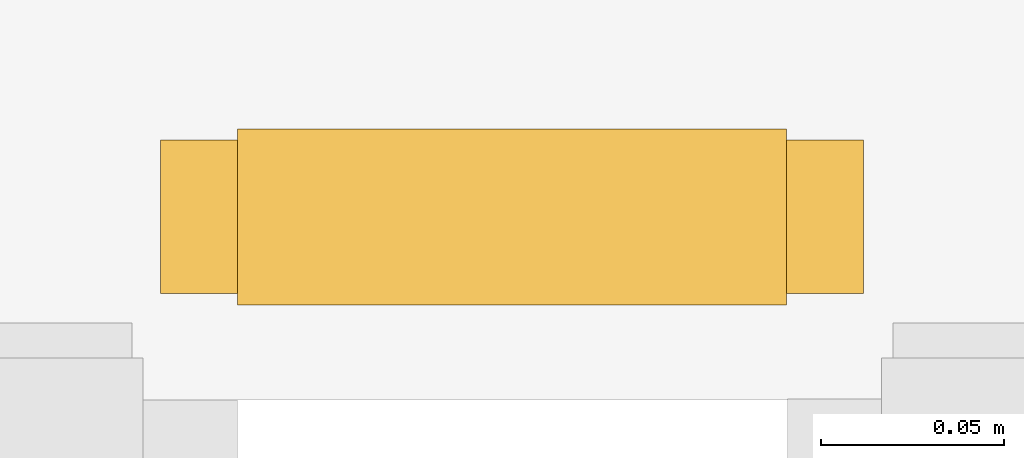
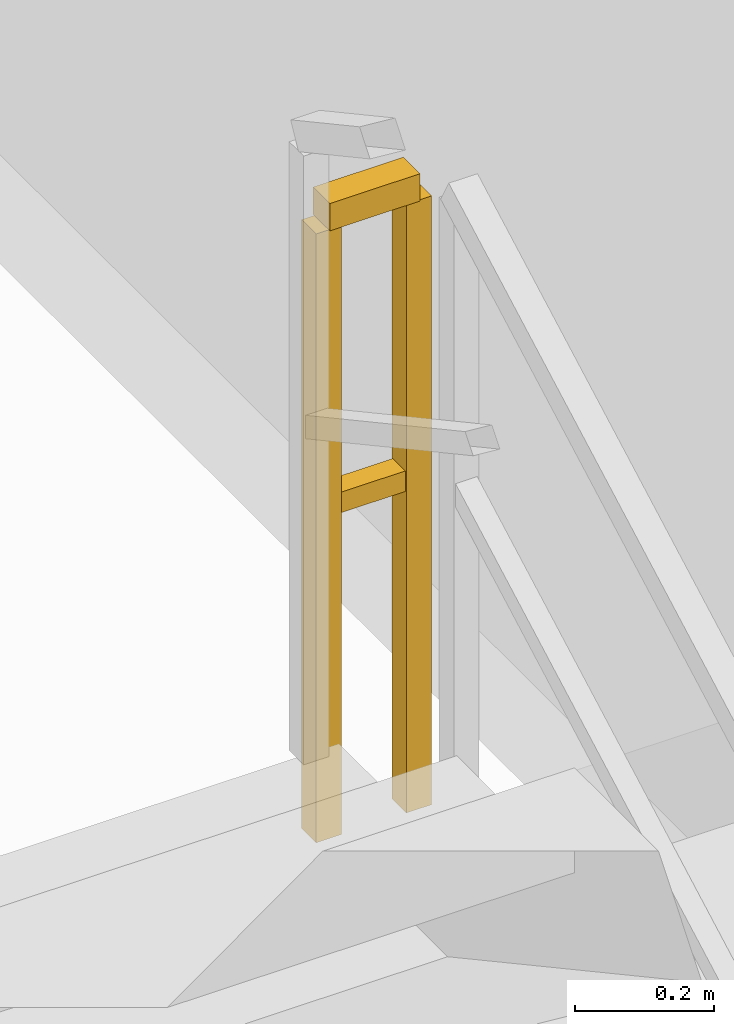
# One storey, part 24 of 26: 1 railing.
"""IFC4 building model written with IfcOpenShell, lengths in metres."""

from ifc_helpers import new_model, si_unit, direction, frame, origin, origin_2d, place, context, subcontext, project, spatial, rectangle, extrude, material, type_object, element, save


model = new_model("IFC4")

# Units and contexts
model_context = context("Model", 3, precision=1e-05, world=origin(), true_north=direction((0.0, 1.0)))
body_context = subcontext(model_context, "Body", "Model", "MODEL_VIEW")
ifc_project = project(units=[si_unit("LENGTHUNIT", "METRE"), si_unit("AREAUNIT", "SQUARE_METRE"), si_unit("VOLUMEUNIT", "CUBIC_METRE"), si_unit("PLANEANGLEUNIT", "RADIAN"), si_unit("MASSUNIT", "GRAM", prefix="KILO")], contexts=[model_context])

# Site, building, storey
site_placement = place(None, origin())
site = spatial("IfcSite", under=ifc_project, at=site_placement, CompositionType="ELEMENT")
building_placement = place(site_placement, origin())
building = spatial("IfcBuilding", under=site, at=building_placement, Name="Zuhayl Quay Hotel", CompositionType="ELEMENT")
storey_placement = place(building_placement, frame((0.0, 0.0, 247.050048828125)))
storey = spatial("IfcBuildingStorey", under=building, at=storey_placement, Name="L62", CompositionType="ELEMENT", Elevation=247.050048828125)

# Railing
ifc_material = material(Name="Steel ASTM A992 Grade 50", Category="steel")
railing_type = type_object("IfcRailingType", Name="RL_GUARD_1100", PredefinedType="GUARDRAIL", material=ifc_material)
railing_placement = place(storey_placement, frame((13.7900390625, 9.699951171875, 1.849853515625)))
element("IfcRailing", 1, at=railing_placement, inside=storey, type_object=railing_type, Name="L62 ST2 stair guard 2", PredefinedType="GUARDRAIL", context=body_context, shape_type="SweptSolid", body=[
    extrude(rectangle(XDim=0.048095703125, YDim=0.048095703125, at=origin_2d()), frame((0.0, 0.0, 1.09619140625), z_axis=(-1.0, 0.0, 0.0), x_axis=(0.0, -1.0, 0.0)), (0.0, 0.0, 1.0), 0.150146484375),
    extrude(rectangle(XDim=0.0361328125, YDim=0.0361328125, at=origin_2d()), frame((0.0, 0.0, 0.58251953125), z_axis=(-1.0, 0.0, 0.0), x_axis=(0.0, -1.0, 0.0)), (0.0, 0.0, 1.0), 0.150146484375),
    extrude(rectangle(XDim=0.0419921875, YDim=0.0419921875, at=origin_2d()), origin(), (0.0, 0.0, 1.0), 1.072021484375),
    extrude(rectangle(XDim=0.0419921875, YDim=0.0419921875, at=origin_2d()), frame((-0.150146484375, 0.0, 0.0)), (0.0, 0.0, 1.0), 1.072021484375),
])

save(model, "model.ifc")
